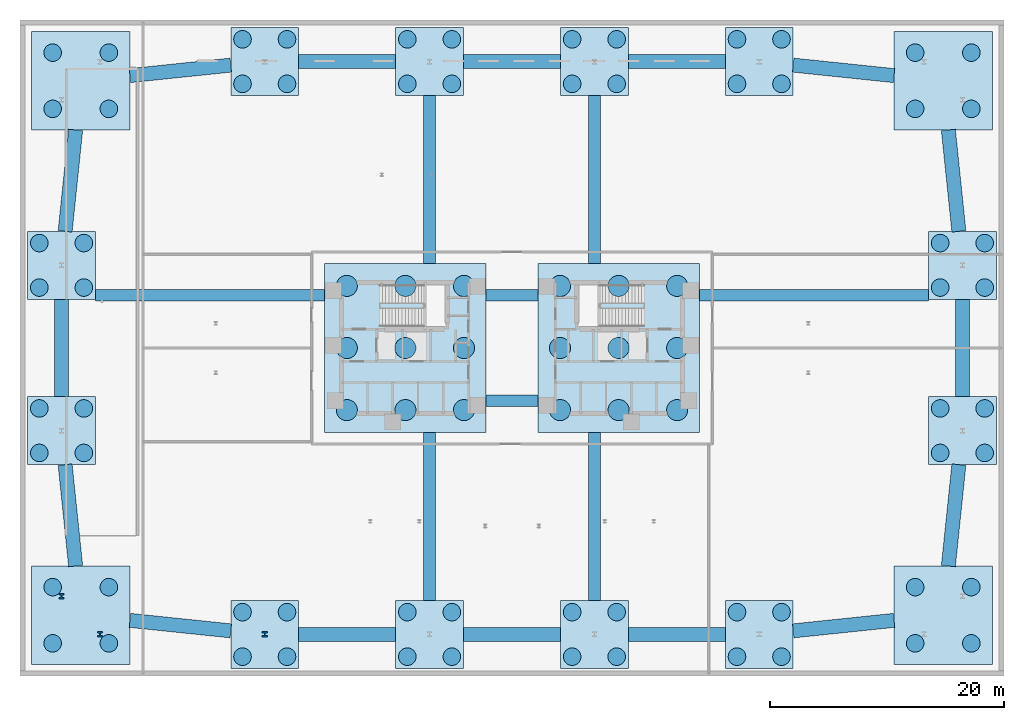
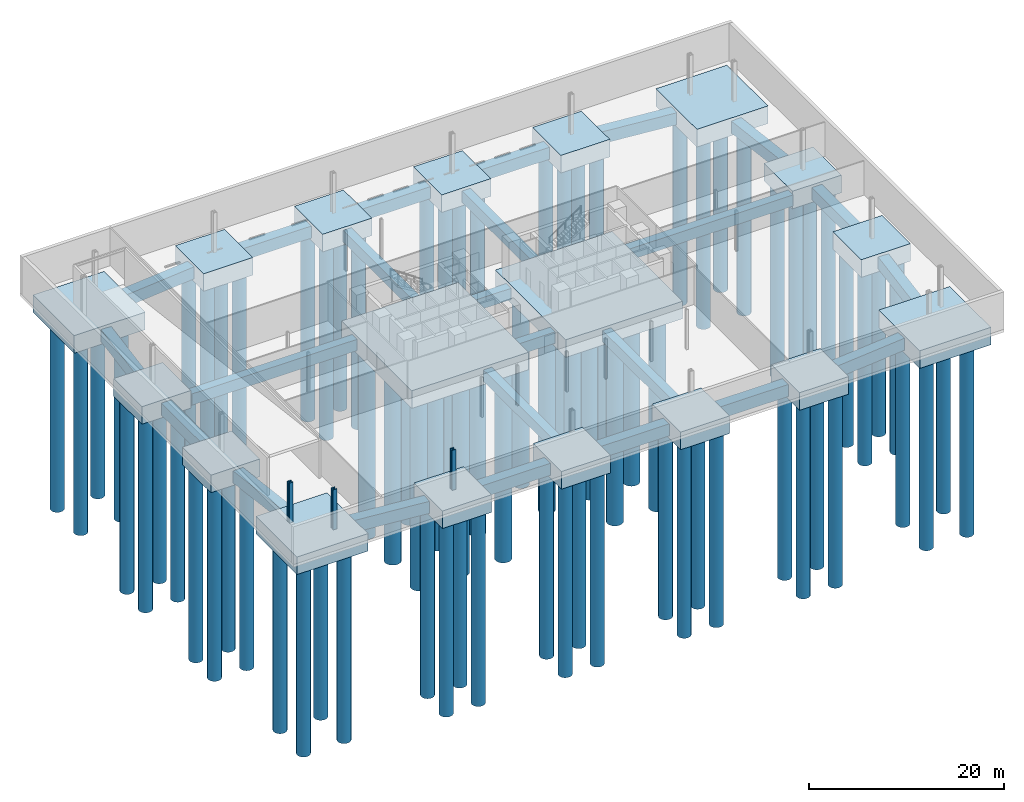
# One storey, part 1 of 16: 82 piles, 42 footings, 3 columns.
"""IFC4 building model written with IfcOpenShell, lengths in metres."""

from ifc_helpers import new_model, si_unit, direction, frame, origin, origin_2d, place, context, subcontext, project, spatial, rectangle, circle, i_section, extrude, material, layer, layer_set, material_profile, profile_set, type_object, element, save


model = new_model("IFC4")

# Units and contexts
model_context = context("Model", 3, precision=1e-05, world=origin(), true_north=direction((0.0, 1.0)))
body_context = subcontext(model_context, "Body", "Model", "MODEL_VIEW")
ifc_project = project(units=[si_unit("LENGTHUNIT", "METRE"), si_unit("AREAUNIT", "SQUARE_METRE"), si_unit("VOLUMEUNIT", "CUBIC_METRE"), si_unit("PLANEANGLEUNIT", "RADIAN"), si_unit("MASSUNIT", "GRAM", prefix="KILO")], contexts=[model_context])

# Site, building, storey
site_placement = place(None, origin())
site = spatial("IfcSite", under=ifc_project, at=site_placement, CompositionType="ELEMENT")
building_placement = place(site_placement, origin())
building = spatial("IfcBuilding", under=site, at=building_placement, Name="Menara Jurai Vektor", CompositionType="ELEMENT")
storey_placement = place(building_placement, frame((0.0, 0.0, -5.0)))
storey = spatial("IfcBuildingStorey", under=building, at=storey_placement, Name="B1", CompositionType="ELEMENT", Elevation=-5.0)

# Footings
ifc_material_1 = material(Name="Concrete C50/60", Category="concrete")
ifc_layer_1 = layer(ifc_material_1, 2.199951171875)
ifc_layer_set_1 = layer_set([ifc_layer_1], Name="Concrete C50/60")
footing_type_1 = type_object("IfcFootingType", Name="STR-CAP-CORE", PredefinedType="PILE_CAP", material=ifc_layer_set_1)
for number, where, z_axis, x_axis, name in (
    (1, (-9.10009765625, 0.0, -2.2001953125), (0.0, 0.0, 1.0), (1.0, 0.0, 0.0), "Core Pile Cap CAP-CORE-W"),
    (2, (9.10009765625, 0.0, -2.2001953125), (0.0, 0.0, 1.0), (1.0, 0.0, 0.0), "Core Pile Cap CAP-CORE-E"),
):
    element("IfcFooting", number, at=place(storey_placement, frame(where, z_axis=z_axis, x_axis=x_axis)), inside=storey, type_object=footing_type_1, Name=name, PredefinedType="PILE_CAP", context=body_context, shape_type="SweptSolid", body=[
        extrude(rectangle(XDim=13.800048828125, YDim=14.39990234375, at=origin_2d()), origin(), (0.0, 0.0, 1.0), 2.199951171875),
    ])
ifc_layer_2 = layer(ifc_material_1, 2.199951171875)
ifc_layer_set_2 = layer_set([ifc_layer_2], Name="Concrete C50/60")
footing_type_2 = type_object("IfcFootingType", Name="STR-CAP-CORNER", PredefinedType="PILE_CAP", material=ifc_layer_set_2)
for number, where, z_axis, x_axis, name in (
    (3, (-36.81396484375, -22.81396484375, -2.2001953125), (0.0, 0.0, 1.0), (1.0, 0.0, 0.0), "Corner Pilotis Pile Cap PC-SW"),
    (4, (36.81396484375, -22.81396484375, -2.2001953125), (0.0, 0.0, 1.0), (1.0, 0.0, 0.0), "Corner Pilotis Pile Cap PC-SE"),
    (5, (36.81396484375, 22.81396484375, -2.2001953125), (0.0, 0.0, 1.0), (1.0, 0.0, 0.0), "Corner Pilotis Pile Cap PC-NE"),
    (6, (-36.81396484375, 22.81396484375, -2.2001953125), (0.0, 0.0, 1.0), (1.0, 0.0, 0.0), "Corner Pilotis Pile Cap PC-NW"),
):
    element("IfcFooting", number, at=place(storey_placement, frame(where, z_axis=z_axis, x_axis=x_axis)), inside=storey, type_object=footing_type_2, Name=name, PredefinedType="PILE_CAP", context=body_context, shape_type="SweptSolid", body=[
        extrude(rectangle(XDim=8.39990234375, YDim=8.39990234375, at=origin_2d()), origin(), (0.0, 0.0, 1.0), 2.199951171875),
    ])
ifc_layer_3 = layer(ifc_material_1, 2.199951171875)
ifc_layer_set_3 = layer_set([ifc_layer_3], Name="Concrete C50/60")
footing_type_3 = type_object("IfcFootingType", Name="STR-CAP-PILOTIS", PredefinedType="PILE_CAP", material=ifc_layer_set_3)
for number, where, z_axis, x_axis, name in (
    (7, (-21.106689453125, -24.449951171875, -2.2001953125), (0.0, 0.0, 1.0), (1.0, 0.0, 0.0), "Pilotis Pile Cap PC-S2"),
    (8, (-7.03564453125, -24.449951171875, -2.2001953125), (0.0, 0.0, 1.0), (1.0, 0.0, 0.0), "Pilotis Pile Cap PC-S3"),
    (9, (7.03564453125, -24.449951171875, -2.2001953125), (0.0, 0.0, 1.0), (1.0, 0.0, 0.0), "Pilotis Pile Cap PC-S4"),
    (10, (21.106689453125, -24.449951171875, -2.2001953125), (0.0, 0.0, 1.0), (1.0, 0.0, 0.0), "Pilotis Pile Cap PC-S5"),
    (11, (38.449951171875, -7.059326171875, -2.2001953125), (0.0, 0.0, 1.0), (1.0, 0.0, 0.0), "Pilotis Pile Cap PC-E2"),
    (12, (38.449951171875, 7.059326171875, -2.2001953125), (0.0, 0.0, 1.0), (1.0, 0.0, 0.0), "Pilotis Pile Cap PC-E3"),
    (13, (21.106689453125, 24.449951171875, -2.2001953125), (0.0, 0.0, 1.0), (1.0, 0.0, 0.0), "Pilotis Pile Cap PC-N2"),
    (14, (7.03564453125, 24.449951171875, -2.2001953125), (0.0, 0.0, 1.0), (1.0, 0.0, 0.0), "Pilotis Pile Cap PC-N3"),
    (15, (-7.03564453125, 24.449951171875, -2.2001953125), (0.0, 0.0, 1.0), (1.0, 0.0, 0.0), "Pilotis Pile Cap PC-N4"),
    (16, (-21.106689453125, 24.449951171875, -2.2001953125), (0.0, 0.0, 1.0), (1.0, 0.0, 0.0), "Pilotis Pile Cap PC-N5"),
    (17, (-38.449951171875, 7.059326171875, -2.2001953125), (0.0, 0.0, 1.0), (1.0, 0.0, 0.0), "Pilotis Pile Cap PC-W2"),
    (18, (-38.449951171875, -7.059326171875, -2.2001953125), (0.0, 0.0, 1.0), (1.0, 0.0, 0.0), "Pilotis Pile Cap PC-W3"),
):
    element("IfcFooting", number, at=place(storey_placement, frame(where, z_axis=z_axis, x_axis=x_axis)), inside=storey, type_object=footing_type_3, Name=name, PredefinedType="PILE_CAP", context=body_context, shape_type="SweptSolid", body=[
        extrude(rectangle(XDim=5.800048828125, YDim=5.800048828125, at=origin_2d()), origin(), (0.0, 0.0, 1.0), 2.199951171875),
    ])
ifc_material_profile_1 = material_profile(ifc_material_1, rectangle(XDim=1.0, YDim=1.39990234375, at=origin_2d()), Name="RC 1000x1400")
ifc_profile_set_1 = profile_set([ifc_material_profile_1], Name="Concrete C50/60")
footing_type_4 = type_object("IfcFootingType", Name="STR-FB-TIE", PredefinedType="FOOTING_BEAM", material=ifc_profile_set_1)
for number, where, z_axis, x_axis, name in (
    (19, (-2.199951171875, 4.5, -1.050048828125), (1.0, 0.0, 0.0), (0.0, 1.0, 0.0), "Foundation Tie Beam FB-CW-CE-N"),
    (20, (-2.199951171875, -4.5, -1.050048828125), (1.0, 0.0, 0.0), (0.0, 1.0, 0.0), "Foundation Tie Beam FB-CW-CE-S"),
):
    element("IfcFooting", number, at=place(storey_placement, frame(where, z_axis=z_axis, x_axis=x_axis)), inside=storey, type_object=footing_type_4, Name=name, PredefinedType="FOOTING_BEAM", context=body_context, shape_type="SweptSolid", body=[
        extrude(rectangle(XDim=1.0, YDim=1.39990234375, at=origin_2d()), origin(), (0.0, 0.0, 1.0), 4.39990234375),
    ])
for number, where, z_axis, x_axis, name in (
    (21, (-7.03564453125, -21.550048828125, -1.050048828125), (0.0, 1.0, 0.0), (-1.0, 0.0, 0.0), "Foundation Tie Beam FB-CW-S3"),
    (22, (7.03564453125, -21.550048828125, -1.050048828125), (0.0, 1.0, 0.0), (-1.0, 0.0, 0.0), "Foundation Tie Beam FB-CE-S4"),
    (23, (-7.03564453125, 7.199951171875, -1.050048828125), (0.0, 1.0, 0.0), (-1.0, 0.0, 0.0), "Foundation Tie Beam FB-CW-N4"),
    (24, (7.03564453125, 7.199951171875, -1.050048828125), (0.0, 1.0, 0.0), (-1.0, 0.0, 0.0), "Foundation Tie Beam FB-CE-N3"),
):
    element("IfcFooting", number, at=place(storey_placement, frame(where, z_axis=z_axis, x_axis=x_axis)), inside=storey, type_object=footing_type_4, Name=name, PredefinedType="FOOTING_BEAM", context=body_context, shape_type="SweptSolid", body=[
        extrude(rectangle(XDim=1.0, YDim=1.39990234375, at=origin_2d()), origin(), (0.0, 0.0, 1.0), 14.35009765625),
    ])
for number, where, z_axis, x_axis, name in (
    (25, (-35.550048828125, 4.5, -1.050048828125), (1.0, 0.0, 0.0), (0.0, 1.0, 0.0), "Foundation Tie Beam FB-CW-W2"),
    (26, (16.0, 4.5, -1.050048828125), (1.0, 0.0, 0.0), (0.0, 1.0, 0.0), "Foundation Tie Beam FB-CE-E3"),
):
    element("IfcFooting", number, at=place(storey_placement, frame(where, z_axis=z_axis, x_axis=x_axis)), inside=storey, type_object=footing_type_4, Name=name, PredefinedType="FOOTING_BEAM", context=body_context, shape_type="SweptSolid", body=[
        extrude(rectangle(XDim=1.0, YDim=1.39990234375, at=origin_2d()), origin(), (0.0, 0.0, 1.0), 19.550048828125),
    ])

# Piles
ifc_material_profile_2 = material_profile(ifc_material_1, circle(Radius=0.75, at=origin_2d()), Name="PILE D1500")
ifc_profile_set_2 = profile_set([ifc_material_profile_2], Name="Concrete C50/60")
pile_type_1 = type_object("IfcPileType", Name="STR-PILE-D1500", PredefinedType="BORED", material=ifc_profile_set_2)
for number, where, z_axis, x_axis, name in (
    (27, (-39.2138671875, -25.2138671875, -0.199951171875), (0.0, 0.0, -1.0), (1.0, 0.0, 0.0), "Bored Pile PC-SW-P01"),
    (28, (-39.2138671875, -20.413818359375, -0.199951171875), (0.0, 0.0, -1.0), (1.0, 0.0, 0.0), "Bored Pile PC-SW-P02"),
    (29, (-34.413818359375, -25.2138671875, -0.199951171875), (0.0, 0.0, -1.0), (1.0, 0.0, 0.0), "Bored Pile PC-SW-P03"),
    (30, (-34.413818359375, -20.413818359375, -0.199951171875), (0.0, 0.0, -1.0), (1.0, 0.0, 0.0), "Bored Pile PC-SW-P04"),
    (31, (34.413818359375, -25.2138671875, -0.199951171875), (0.0, 0.0, -1.0), (1.0, 0.0, 0.0), "Bored Pile PC-SE-P01"),
    (32, (34.413818359375, -20.413818359375, -0.199951171875), (0.0, 0.0, -1.0), (1.0, 0.0, 0.0), "Bored Pile PC-SE-P02"),
    (33, (39.2138671875, -25.2138671875, -0.199951171875), (0.0, 0.0, -1.0), (1.0, 0.0, 0.0), "Bored Pile PC-SE-P03"),
    (34, (39.2138671875, -20.413818359375, -0.199951171875), (0.0, 0.0, -1.0), (1.0, 0.0, 0.0), "Bored Pile PC-SE-P04"),
    (35, (34.413818359375, 20.413818359375, -0.199951171875), (0.0, 0.0, -1.0), (1.0, 0.0, 0.0), "Bored Pile PC-NE-P01"),
    (36, (34.413818359375, 25.2138671875, -0.199951171875), (0.0, 0.0, -1.0), (1.0, 0.0, 0.0), "Bored Pile PC-NE-P02"),
    (37, (39.2138671875, 20.413818359375, -0.199951171875), (0.0, 0.0, -1.0), (1.0, 0.0, 0.0), "Bored Pile PC-NE-P03"),
    (38, (39.2138671875, 25.2138671875, -0.199951171875), (0.0, 0.0, -1.0), (1.0, 0.0, 0.0), "Bored Pile PC-NE-P04"),
    (39, (-39.2138671875, 20.413818359375, -0.199951171875), (0.0, 0.0, -1.0), (1.0, 0.0, 0.0), "Bored Pile PC-NW-P01"),
    (40, (-39.2138671875, 25.2138671875, -0.199951171875), (0.0, 0.0, -1.0), (1.0, 0.0, 0.0), "Bored Pile PC-NW-P02"),
    (41, (-34.413818359375, 20.413818359375, -0.199951171875), (0.0, 0.0, -1.0), (1.0, 0.0, 0.0), "Bored Pile PC-NW-P03"),
    (42, (-34.413818359375, 25.2138671875, -0.199951171875), (0.0, 0.0, -1.0), (1.0, 0.0, 0.0), "Bored Pile PC-NW-P04"),
    (43, (-23.006591796875, -26.35009765625, -0.199951171875), (0.0, 0.0, -1.0), (1.0, 0.0, 0.0), "Bored Pile PC-S2-P01"),
    (44, (-23.006591796875, -22.550048828125, -0.199951171875), (0.0, 0.0, -1.0), (1.0, 0.0, 0.0), "Bored Pile PC-S2-P02"),
    (45, (-19.206787109375, -26.35009765625, -0.199951171875), (0.0, 0.0, -1.0), (1.0, 0.0, 0.0), "Bored Pile PC-S2-P03"),
    (46, (-19.206787109375, -22.550048828125, -0.199951171875), (0.0, 0.0, -1.0), (1.0, 0.0, 0.0), "Bored Pile PC-S2-P04"),
    (47, (-8.935546875, -26.35009765625, -0.199951171875), (0.0, 0.0, -1.0), (1.0, 0.0, 0.0), "Bored Pile PC-S3-P01"),
    (48, (-8.935546875, -22.550048828125, -0.199951171875), (0.0, 0.0, -1.0), (1.0, 0.0, 0.0), "Bored Pile PC-S3-P02"),
    (49, (-5.135498046875, -26.35009765625, -0.199951171875), (0.0, 0.0, -1.0), (1.0, 0.0, 0.0), "Bored Pile PC-S3-P03"),
    (50, (-5.135498046875, -22.550048828125, -0.199951171875), (0.0, 0.0, -1.0), (1.0, 0.0, 0.0), "Bored Pile PC-S3-P04"),
    (51, (5.135498046875, -26.35009765625, -0.199951171875), (0.0, 0.0, -1.0), (1.0, 0.0, 0.0), "Bored Pile PC-S4-P01"),
    (52, (5.135498046875, -22.550048828125, -0.199951171875), (0.0, 0.0, -1.0), (1.0, 0.0, 0.0), "Bored Pile PC-S4-P02"),
    (53, (8.935546875, -26.35009765625, -0.199951171875), (0.0, 0.0, -1.0), (1.0, 0.0, 0.0), "Bored Pile PC-S4-P03"),
    (54, (8.935546875, -22.550048828125, -0.199951171875), (0.0, 0.0, -1.0), (1.0, 0.0, 0.0), "Bored Pile PC-S4-P04"),
    (55, (19.206787109375, -26.35009765625, -0.199951171875), (0.0, 0.0, -1.0), (1.0, 0.0, 0.0), "Bored Pile PC-S5-P01"),
    (56, (19.206787109375, -22.550048828125, -0.199951171875), (0.0, 0.0, -1.0), (1.0, 0.0, 0.0), "Bored Pile PC-S5-P02"),
    (57, (23.006591796875, -26.35009765625, -0.199951171875), (0.0, 0.0, -1.0), (1.0, 0.0, 0.0), "Bored Pile PC-S5-P03"),
    (58, (23.006591796875, -22.550048828125, -0.199951171875), (0.0, 0.0, -1.0), (1.0, 0.0, 0.0), "Bored Pile PC-S5-P04"),
    (59, (36.550048828125, -8.959228515625, -0.199951171875), (0.0, 0.0, -1.0), (1.0, 0.0, 0.0), "Bored Pile PC-E2-P01"),
    (60, (36.550048828125, -5.1591796875, -0.199951171875), (0.0, 0.0, -1.0), (1.0, 0.0, 0.0), "Bored Pile PC-E2-P02"),
    (61, (40.35009765625, -8.959228515625, -0.199951171875), (0.0, 0.0, -1.0), (1.0, 0.0, 0.0), "Bored Pile PC-E2-P03"),
    (62, (40.35009765625, -5.1591796875, -0.199951171875), (0.0, 0.0, -1.0), (1.0, 0.0, 0.0), "Bored Pile PC-E2-P04"),
    (63, (36.550048828125, 5.1591796875, -0.199951171875), (0.0, 0.0, -1.0), (1.0, 0.0, 0.0), "Bored Pile PC-E3-P01"),
    (64, (36.550048828125, 8.959228515625, -0.199951171875), (0.0, 0.0, -1.0), (1.0, 0.0, 0.0), "Bored Pile PC-E3-P02"),
    (65, (40.35009765625, 5.1591796875, -0.199951171875), (0.0, 0.0, -1.0), (1.0, 0.0, 0.0), "Bored Pile PC-E3-P03"),
    (66, (40.35009765625, 8.959228515625, -0.199951171875), (0.0, 0.0, -1.0), (1.0, 0.0, 0.0), "Bored Pile PC-E3-P04"),
    (67, (19.206787109375, 22.550048828125, -0.199951171875), (0.0, 0.0, -1.0), (1.0, 0.0, 0.0), "Bored Pile PC-N2-P01"),
    (68, (19.206787109375, 26.35009765625, -0.199951171875), (0.0, 0.0, -1.0), (1.0, 0.0, 0.0), "Bored Pile PC-N2-P02"),
    (69, (23.006591796875, 22.550048828125, -0.199951171875), (0.0, 0.0, -1.0), (1.0, 0.0, 0.0), "Bored Pile PC-N2-P03"),
    (70, (23.006591796875, 26.35009765625, -0.199951171875), (0.0, 0.0, -1.0), (1.0, 0.0, 0.0), "Bored Pile PC-N2-P04"),
    (71, (5.135498046875, 22.550048828125, -0.199951171875), (0.0, 0.0, -1.0), (1.0, 0.0, 0.0), "Bored Pile PC-N3-P01"),
    (72, (5.135498046875, 26.35009765625, -0.199951171875), (0.0, 0.0, -1.0), (1.0, 0.0, 0.0), "Bored Pile PC-N3-P02"),
    (73, (8.935546875, 22.550048828125, -0.199951171875), (0.0, 0.0, -1.0), (1.0, 0.0, 0.0), "Bored Pile PC-N3-P03"),
    (74, (8.935546875, 26.35009765625, -0.199951171875), (0.0, 0.0, -1.0), (1.0, 0.0, 0.0), "Bored Pile PC-N3-P04"),
    (75, (-8.935546875, 22.550048828125, -0.199951171875), (0.0, 0.0, -1.0), (1.0, 0.0, 0.0), "Bored Pile PC-N4-P01"),
    (76, (-8.935546875, 26.35009765625, -0.199951171875), (0.0, 0.0, -1.0), (1.0, 0.0, 0.0), "Bored Pile PC-N4-P02"),
    (77, (-5.135498046875, 22.550048828125, -0.199951171875), (0.0, 0.0, -1.0), (1.0, 0.0, 0.0), "Bored Pile PC-N4-P03"),
    (78, (-5.135498046875, 26.35009765625, -0.199951171875), (0.0, 0.0, -1.0), (1.0, 0.0, 0.0), "Bored Pile PC-N4-P04"),
    (79, (-23.006591796875, 22.550048828125, -0.199951171875), (0.0, 0.0, -1.0), (1.0, 0.0, 0.0), "Bored Pile PC-N5-P01"),
    (80, (-23.006591796875, 26.35009765625, -0.199951171875), (0.0, 0.0, -1.0), (1.0, 0.0, 0.0), "Bored Pile PC-N5-P02"),
    (81, (-19.206787109375, 22.550048828125, -0.199951171875), (0.0, 0.0, -1.0), (1.0, 0.0, 0.0), "Bored Pile PC-N5-P03"),
    (82, (-19.206787109375, 26.35009765625, -0.199951171875), (0.0, 0.0, -1.0), (1.0, 0.0, 0.0), "Bored Pile PC-N5-P04"),
    (83, (-40.35009765625, 5.1591796875, -0.199951171875), (0.0, 0.0, -1.0), (1.0, 0.0, 0.0), "Bored Pile PC-W2-P01"),
    (84, (-40.35009765625, 8.959228515625, -0.199951171875), (0.0, 0.0, -1.0), (1.0, 0.0, 0.0), "Bored Pile PC-W2-P02"),
    (85, (-36.550048828125, 5.1591796875, -0.199951171875), (0.0, 0.0, -1.0), (1.0, 0.0, 0.0), "Bored Pile PC-W2-P03"),
    (86, (-36.550048828125, 8.959228515625, -0.199951171875), (0.0, 0.0, -1.0), (1.0, 0.0, 0.0), "Bored Pile PC-W2-P04"),
    (87, (-40.35009765625, -8.959228515625, -0.199951171875), (0.0, 0.0, -1.0), (1.0, 0.0, 0.0), "Bored Pile PC-W3-P01"),
    (88, (-40.35009765625, -5.1591796875, -0.199951171875), (0.0, 0.0, -1.0), (1.0, 0.0, 0.0), "Bored Pile PC-W3-P02"),
    (89, (-36.550048828125, -8.959228515625, -0.199951171875), (0.0, 0.0, -1.0), (1.0, 0.0, 0.0), "Bored Pile PC-W3-P03"),
    (90, (-36.550048828125, -5.1591796875, -0.199951171875), (0.0, 0.0, -1.0), (1.0, 0.0, 0.0), "Bored Pile PC-W3-P04"),
):
    element("IfcPile", number, at=place(storey_placement, frame(where, z_axis=z_axis, x_axis=x_axis)), inside=storey, type_object=pile_type_1, Name=name, PredefinedType="BORED", context=body_context, shape_type="SweptSolid", body=[
        extrude(circle(Radius=0.75, at=origin_2d()), origin(), (0.0, 0.0, 1.0), 26.0),
    ])
ifc_material_profile_3 = material_profile(ifc_material_1, circle(Radius=0.89990234375, at=origin_2d()), Name="PILE D1800")
ifc_profile_set_3 = profile_set([ifc_material_profile_3], Name="Concrete C50/60")
pile_type_2 = type_object("IfcPileType", Name="STR-PILE-D1800", PredefinedType="BORED", material=ifc_profile_set_3)
for number, where, z_axis, x_axis, name in (
    (91, (-14.10009765625, -5.300048828125, -0.199951171875), (0.0, 0.0, -1.0), (1.0, 0.0, 0.0), "Bored Pile CAP-CORE-W-P01"),
    (92, (-14.10009765625, 0.0, -0.199951171875), (0.0, 0.0, -1.0), (1.0, 0.0, 0.0), "Bored Pile CAP-CORE-W-P02"),
    (93, (-14.10009765625, 5.300048828125, -0.199951171875), (0.0, 0.0, -1.0), (1.0, 0.0, 0.0), "Bored Pile CAP-CORE-W-P03"),
    (94, (-9.10009765625, -5.300048828125, -0.199951171875), (0.0, 0.0, -1.0), (1.0, 0.0, 0.0), "Bored Pile CAP-CORE-W-P04"),
    (95, (-9.10009765625, 0.0, -0.199951171875), (0.0, 0.0, -1.0), (1.0, 0.0, 0.0), "Bored Pile CAP-CORE-W-P05"),
    (96, (-9.10009765625, 5.300048828125, -0.199951171875), (0.0, 0.0, -1.0), (1.0, 0.0, 0.0), "Bored Pile CAP-CORE-W-P06"),
    (97, (-4.10009765625, -5.300048828125, -0.199951171875), (0.0, 0.0, -1.0), (1.0, 0.0, 0.0), "Bored Pile CAP-CORE-W-P07"),
    (98, (-4.10009765625, 0.0, -0.199951171875), (0.0, 0.0, -1.0), (1.0, 0.0, 0.0), "Bored Pile CAP-CORE-W-P08"),
    (99, (-4.10009765625, 5.300048828125, -0.199951171875), (0.0, 0.0, -1.0), (1.0, 0.0, 0.0), "Bored Pile CAP-CORE-W-P09"),
    (100, (4.10009765625, -5.300048828125, -0.199951171875), (0.0, 0.0, -1.0), (1.0, 0.0, 0.0), "Bored Pile CAP-CORE-E-P01"),
    (101, (4.10009765625, 0.0, -0.199951171875), (0.0, 0.0, -1.0), (1.0, 0.0, 0.0), "Bored Pile CAP-CORE-E-P02"),
    (102, (4.10009765625, 5.300048828125, -0.199951171875), (0.0, 0.0, -1.0), (1.0, 0.0, 0.0), "Bored Pile CAP-CORE-E-P03"),
    (103, (9.10009765625, -5.300048828125, -0.199951171875), (0.0, 0.0, -1.0), (1.0, 0.0, 0.0), "Bored Pile CAP-CORE-E-P04"),
    (104, (9.10009765625, 0.0, -0.199951171875), (0.0, 0.0, -1.0), (1.0, 0.0, 0.0), "Bored Pile CAP-CORE-E-P05"),
    (105, (9.10009765625, 5.300048828125, -0.199951171875), (0.0, 0.0, -1.0), (1.0, 0.0, 0.0), "Bored Pile CAP-CORE-E-P06"),
    (106, (14.10009765625, -5.300048828125, -0.199951171875), (0.0, 0.0, -1.0), (1.0, 0.0, 0.0), "Bored Pile CAP-CORE-E-P07"),
    (107, (14.10009765625, 0.0, -0.199951171875), (0.0, 0.0, -1.0), (1.0, 0.0, 0.0), "Bored Pile CAP-CORE-E-P08"),
    (108, (14.10009765625, 5.300048828125, -0.199951171875), (0.0, 0.0, -1.0), (1.0, 0.0, 0.0), "Bored Pile CAP-CORE-E-P09"),
):
    element("IfcPile", number, at=place(storey_placement, frame(where, z_axis=z_axis, x_axis=x_axis)), inside=storey, type_object=pile_type_2, Name=name, PredefinedType="BORED", context=body_context, shape_type="SweptSolid", body=[
        extrude(circle(Radius=0.89990234375, at=origin_2d()), origin(), (0.0, 0.0, 1.0), 26.0),
    ])

# Footings
ifc_material_profile_4 = material_profile(ifc_material_1, rectangle(XDim=1.199951171875, YDim=1.5, at=origin_2d()), Name="RC 1200x1500")
ifc_profile_set_4 = profile_set([ifc_material_profile_4], Name="Concrete C50/60")
footing_type_5 = type_object("IfcFootingType", Name="STR-TB-PERIM", PredefinedType="STRIP_FOOTING", material=ifc_profile_set_4)
footing_1_placement = place(storey_placement, frame((-32.614013671875, -23.25146484375, -1.10009765625), z_axis=(0.994619862363, -0.103592129981, 0.0), x_axis=(0.103592129981, 0.994619862363, 0.0)))
element("IfcFooting", 109, at=footing_1_placement, inside=storey, type_object=footing_type_5, Name="Perimeter Ground Tie Beam GTB-P01", PredefinedType="STRIP_FOOTING", context=body_context, shape_type="SweptSolid", body=[
    extrude(rectangle(XDim=1.199951171875, YDim=1.5, at=origin_2d()), origin(), (0.0, 0.0, 1.0), 8.654052734375),
])
footing_2_placement = place(storey_placement, frame((-18.206787109375, -24.449951171875, -1.10009765625), z_axis=(1.0, 0.0, 0.0), x_axis=(0.0, 1.0, 0.0)))
element("IfcFooting", 110, at=footing_2_placement, inside=storey, type_object=footing_type_5, Name="Perimeter Ground Tie Beam GTB-P02", PredefinedType="STRIP_FOOTING", context=body_context, shape_type="SweptSolid", body=[
    extrude(rectangle(XDim=1.199951171875, YDim=1.5, at=origin_2d()), origin(), (0.0, 0.0, 1.0), 8.271240234375),
])
footing_3_placement = place(storey_placement, frame((-4.135498046875, -24.449951171875, -1.10009765625), z_axis=(1.0, 0.0, 0.0), x_axis=(0.0, 1.0, 0.0)))
element("IfcFooting", 111, at=footing_3_placement, inside=storey, type_object=footing_type_5, Name="Perimeter Ground Tie Beam GTB-P03", PredefinedType="STRIP_FOOTING", context=body_context, shape_type="SweptSolid", body=[
    extrude(rectangle(XDim=1.199951171875, YDim=1.5, at=origin_2d()), origin(), (0.0, 0.0, 1.0), 8.27099609375),
])
footing_4_placement = place(storey_placement, frame((9.935546875, -24.449951171875, -1.10009765625), z_axis=(1.0, 0.0, 0.0), x_axis=(0.0, 1.0, 0.0)))
element("IfcFooting", 112, at=footing_4_placement, inside=storey, type_object=footing_type_5, Name="Perimeter Ground Tie Beam GTB-P04", PredefinedType="STRIP_FOOTING", context=body_context, shape_type="SweptSolid", body=[
    extrude(rectangle(XDim=1.199951171875, YDim=1.5, at=origin_2d()), origin(), (0.0, 0.0, 1.0), 8.271240234375),
])
footing_5_placement = place(storey_placement, frame((24.006591796875, -24.14794921875, -1.10009765625), z_axis=(0.994619862363, 0.103592129981, 0.0), x_axis=(-0.103592129981, 0.994619862363, 0.0)))
element("IfcFooting", 113, at=footing_5_placement, inside=storey, type_object=footing_type_5, Name="Perimeter Ground Tie Beam GTB-P05", PredefinedType="STRIP_FOOTING", context=body_context, shape_type="SweptSolid", body=[
    extrude(rectangle(XDim=1.199951171875, YDim=1.5, at=origin_2d()), origin(), (0.0, 0.0, 1.0), 8.654052734375),
])
footing_6_placement = place(storey_placement, frame((37.25, -18.614013671875, -1.10009765625), z_axis=(0.103281093909, 0.994652208383, 0.0), x_axis=(-0.994652208383, 0.103281093909, 0.0)))
element("IfcFooting", 114, at=footing_6_placement, inside=storey, type_object=footing_type_5, Name="Perimeter Ground Tie Beam GTB-P06", PredefinedType="STRIP_FOOTING", context=body_context, shape_type="SweptSolid", body=[
    extrude(rectangle(XDim=1.199951171875, YDim=1.5, at=origin_2d()), origin(), (0.0, 0.0, 1.0), 8.701416015625),
])
footing_7_placement = place(storey_placement, frame((38.449951171875, -4.1591796875, -1.10009765625), z_axis=(0.0, 1.0, 0.0), x_axis=(-1.0, 0.0, 0.0)))
element("IfcFooting", 115, at=footing_7_placement, inside=storey, type_object=footing_type_5, Name="Perimeter Ground Tie Beam GTB-P07", PredefinedType="STRIP_FOOTING", context=body_context, shape_type="SweptSolid", body=[
    extrude(rectangle(XDim=1.199951171875, YDim=1.5, at=origin_2d()), origin(), (0.0, 0.0, 1.0), 8.318359375),
])
footing_8_placement = place(storey_placement, frame((38.148681640625, 9.959228515625, -1.10009765625), z_axis=(-0.103281093909, 0.994652208383, 0.0), x_axis=(-0.994652208383, -0.103281093909, 0.0)))
element("IfcFooting", 116, at=footing_8_placement, inside=storey, type_object=footing_type_5, Name="Perimeter Ground Tie Beam GTB-P08", PredefinedType="STRIP_FOOTING", context=body_context, shape_type="SweptSolid", body=[
    extrude(rectangle(XDim=1.199951171875, YDim=1.5, at=origin_2d()), origin(), (0.0, 0.0, 1.0), 8.701416015625),
])
footing_9_placement = place(storey_placement, frame((32.614013671875, 23.25146484375, -1.10009765625), z_axis=(-0.994619862363, 0.103592129981, 0.0), x_axis=(-0.103592129981, -0.994619862363, 0.0)))
element("IfcFooting", 117, at=footing_9_placement, inside=storey, type_object=footing_type_5, Name="Perimeter Ground Tie Beam GTB-P09", PredefinedType="STRIP_FOOTING", context=body_context, shape_type="SweptSolid", body=[
    extrude(rectangle(XDim=1.199951171875, YDim=1.5, at=origin_2d()), origin(), (0.0, 0.0, 1.0), 8.654052734375),
])
footing_10_placement = place(storey_placement, frame((18.206787109375, 24.449951171875, -1.10009765625), z_axis=(-1.0, 0.0, 0.0), x_axis=(0.0, -1.0, 0.0)))
element("IfcFooting", 118, at=footing_10_placement, inside=storey, type_object=footing_type_5, Name="Perimeter Ground Tie Beam GTB-P10", PredefinedType="STRIP_FOOTING", context=body_context, shape_type="SweptSolid", body=[
    extrude(rectangle(XDim=1.199951171875, YDim=1.5, at=origin_2d()), origin(), (0.0, 0.0, 1.0), 8.271240234375),
])
footing_11_placement = place(storey_placement, frame((4.135498046875, 24.449951171875, -1.10009765625), z_axis=(-1.0, 0.0, 0.0), x_axis=(0.0, -1.0, 0.0)))
element("IfcFooting", 119, at=footing_11_placement, inside=storey, type_object=footing_type_5, Name="Perimeter Ground Tie Beam GTB-P11", PredefinedType="STRIP_FOOTING", context=body_context, shape_type="SweptSolid", body=[
    extrude(rectangle(XDim=1.199951171875, YDim=1.5, at=origin_2d()), origin(), (0.0, 0.0, 1.0), 8.27099609375),
])
footing_12_placement = place(storey_placement, frame((-9.935546875, 24.449951171875, -1.10009765625), z_axis=(-1.0, 0.0, 0.0), x_axis=(0.0, -1.0, 0.0)))
element("IfcFooting", 120, at=footing_12_placement, inside=storey, type_object=footing_type_5, Name="Perimeter Ground Tie Beam GTB-P12", PredefinedType="STRIP_FOOTING", context=body_context, shape_type="SweptSolid", body=[
    extrude(rectangle(XDim=1.199951171875, YDim=1.5, at=origin_2d()), origin(), (0.0, 0.0, 1.0), 8.271240234375),
])
footing_13_placement = place(storey_placement, frame((-24.006591796875, 24.14794921875, -1.10009765625), z_axis=(-0.994619862363, -0.103592129981, 0.0), x_axis=(0.103592129981, -0.994619862363, 0.0)))
element("IfcFooting", 121, at=footing_13_placement, inside=storey, type_object=footing_type_5, Name="Perimeter Ground Tie Beam GTB-P13", PredefinedType="STRIP_FOOTING", context=body_context, shape_type="SweptSolid", body=[
    extrude(rectangle(XDim=1.199951171875, YDim=1.5, at=origin_2d()), origin(), (0.0, 0.0, 1.0), 8.654052734375),
])
footing_14_placement = place(storey_placement, frame((-37.25, 18.614013671875, -1.10009765625), z_axis=(-0.103281093909, -0.994652208383, 0.0), x_axis=(0.994652208383, -0.103281093909, 0.0)))
element("IfcFooting", 122, at=footing_14_placement, inside=storey, type_object=footing_type_5, Name="Perimeter Ground Tie Beam GTB-P14", PredefinedType="STRIP_FOOTING", context=body_context, shape_type="SweptSolid", body=[
    extrude(rectangle(XDim=1.199951171875, YDim=1.5, at=origin_2d()), origin(), (0.0, 0.0, 1.0), 8.701416015625),
])
footing_15_placement = place(storey_placement, frame((-38.449951171875, 4.1591796875, -1.10009765625), z_axis=(0.0, -1.0, 0.0), x_axis=(1.0, 0.0, 0.0)))
element("IfcFooting", 123, at=footing_15_placement, inside=storey, type_object=footing_type_5, Name="Perimeter Ground Tie Beam GTB-P15", PredefinedType="STRIP_FOOTING", context=body_context, shape_type="SweptSolid", body=[
    extrude(rectangle(XDim=1.199951171875, YDim=1.5, at=origin_2d()), origin(), (0.0, 0.0, 1.0), 8.318359375),
])
footing_16_placement = place(storey_placement, frame((-38.148681640625, -9.959228515625, -1.10009765625), z_axis=(0.103281093909, -0.994652208383, 0.0), x_axis=(0.994652208383, 0.103281093909, 0.0)))
element("IfcFooting", 124, at=footing_16_placement, inside=storey, type_object=footing_type_5, Name="Perimeter Ground Tie Beam GTB-P16", PredefinedType="STRIP_FOOTING", context=body_context, shape_type="SweptSolid", body=[
    extrude(rectangle(XDim=1.199951171875, YDim=1.5, at=origin_2d()), origin(), (0.0, 0.0, 1.0), 8.701416015625),
])

# Columns
ifc_material_2 = material(Name="Steel S460", Category="steel")
ifc_material_profile_5 = material_profile(ifc_material_2, i_section(OverallWidth=0.427978515625, OverallDepth=0.468994140625, WebThickness=0.077880859375, FlangeThickness=0.125, FilletRadius=0.014892578125, at=origin_2d()), Name="HD 400x1086")
ifc_profile_set_5 = profile_set([ifc_material_profile_5], Name="Steel S460")
column_type = type_object("IfcColumnType", Name="STR-PILOTIS-HD1086", PredefinedType="USERDEFINED", material=ifc_profile_set_5)
for number, where, z_axis, x_axis, name in (
    (125, (-35.177734375, -24.449951171875, 0.0), (0.0, 0.0, 1.0), (1.0, 0.0, 0.0), "Open Pilotis Stilt Column PLT-S1 B1"),
    (126, (-21.106689453125, -24.449951171875, 0.0), (0.0, 0.0, 1.0), (1.0, 0.0, 0.0), "Open Pilotis Stilt Column PLT-S2 B1"),
    (127, (-38.449951171875, -21.177734375, 0.0), (0.0, 0.0, 1.0), (1.0, 0.0, 0.0), "Open Pilotis Stilt Column PLT-W4 B1"),
):
    element("IfcColumn", number, at=place(storey_placement, frame(where, z_axis=z_axis, x_axis=x_axis)), inside=storey, type_object=column_type, Name=name, ObjectType="PILOTIS", PredefinedType="USERDEFINED", context=body_context, shape_type="SweptSolid", body=[
        extrude(i_section(OverallWidth=0.427978515625, OverallDepth=0.468994140625, WebThickness=0.077880859375, FlangeThickness=0.125, FilletRadius=0.014892578125, at=origin_2d()), origin(), (0.0, 0.0, 1.0), 5.0),
    ])

save(model, "model.ifc")
